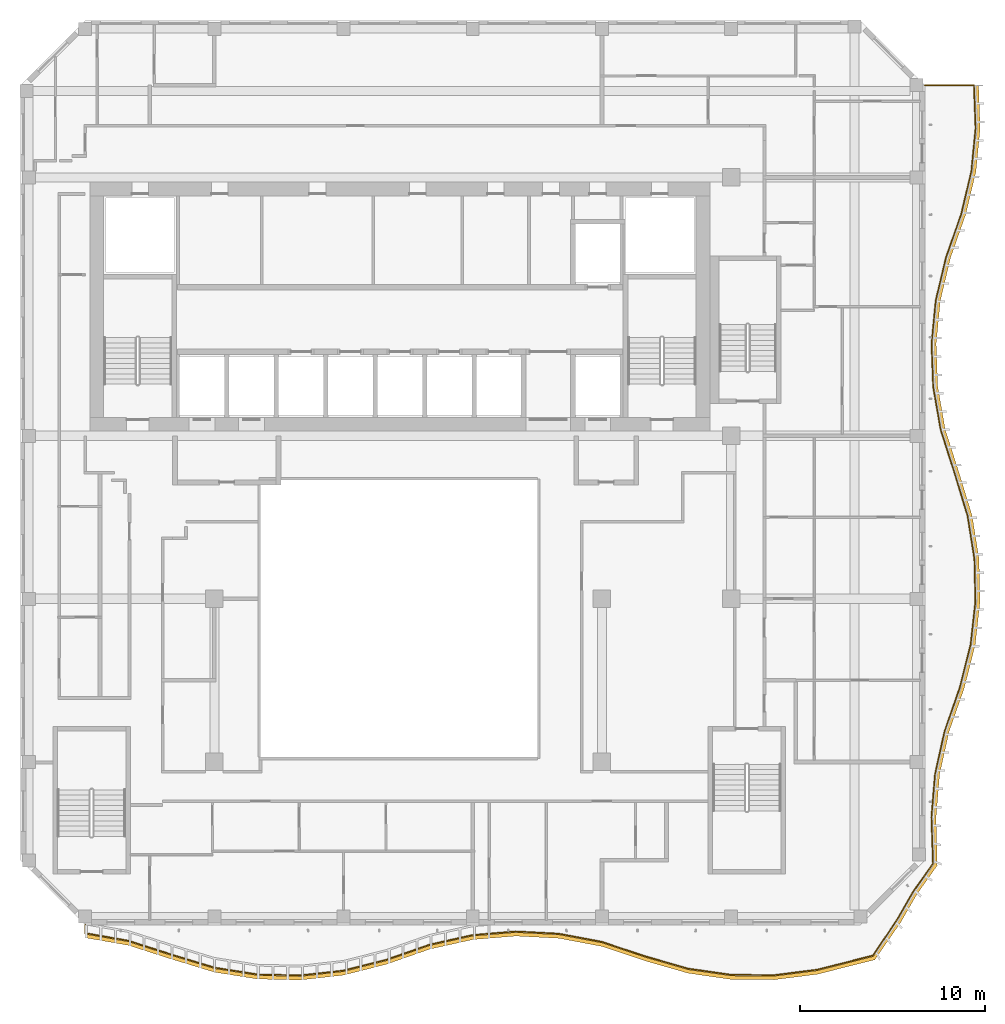
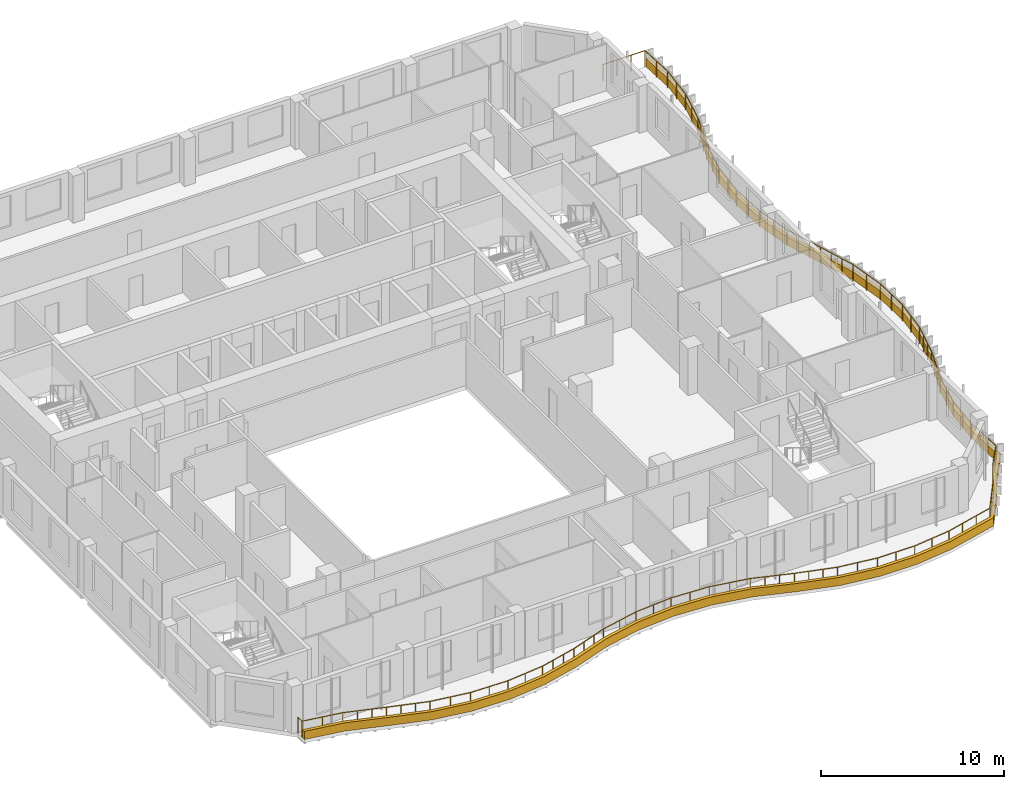
# One storey, part 14 of 19: 1 railing, 1 shading device.
"""IFC4 building model written with IfcOpenShell, lengths in metres."""

from ifc_helpers import new_model, si_unit, direction, frame, origin, origin_2d, place, context, subcontext, project, spatial, polyline, circle, outline, extrude, source, transform, mapped, material, layer, layer_set, type_object, element, save


model = new_model("IFC4")

# Units and contexts
model_context = context("Model", 3, precision=1e-05, world=origin(), true_north=direction((0.0, 1.0)))
body_context = subcontext(model_context, "Body", "Model", "MODEL_VIEW")
ifc_project = project(units=[si_unit("LENGTHUNIT", "METRE"), si_unit("AREAUNIT", "SQUARE_METRE"), si_unit("VOLUMEUNIT", "CUBIC_METRE"), si_unit("PLANEANGLEUNIT", "RADIAN"), si_unit("MASSUNIT", "GRAM", prefix="KILO")], contexts=[model_context])

# Site, building, storey
site_placement = place(None, origin())
site = spatial("IfcSite", under=ifc_project, at=site_placement, CompositionType="ELEMENT")
building_placement = place(site_placement, origin())
building = spatial("IfcBuilding", under=site, at=building_placement, Name="Kilnfold Tower and Market Hall", CompositionType="ELEMENT")
storey_placement = place(building_placement, frame((0.0, 0.0, 242.39990234375)))
storey = spatial("IfcBuildingStorey", under=building, at=storey_placement, Name="L58", CompositionType="ELEMENT", Elevation=242.39990234375)

# Railing
ifc_material_1 = material(Name="Stainless steel and laminated glass", Category="steel")
railing_type = type_object("IfcRailingType", Name="GUARD 1100", PredefinedType="GUARDRAIL", material=ifc_material_1)
railing_placement = place(storey_placement, frame((-16.0, -18.5, 0.0)))
element("IfcRailing", 1, at=railing_placement, inside=storey, type_object=railing_type, Name="Guard balcony L58", PredefinedType="GUARDRAIL", context=body_context, shape_type="SweptSolid", body=[
    extrude(circle(Radius=0.02490234375, at=origin_2d()), frame((0.0, 0.0, 1.0751953125), z_axis=(0.0, -1.0, 0.0), x_axis=(1.0, 0.0, 0.0)), (0.0, 0.0, 1.0), 0.44482421875),
    extrude(circle(Radius=0.02490234375, at=origin_2d()), frame((0.0, -0.44482421875, 1.0751953125), z_axis=(0.985161021514, -0.17163263585, 0.0), x_axis=(0.17163263585, 0.985161021514, 0.0)), (0.0, 0.0, 1.0), 2.368408203125),
    extrude(circle(Radius=0.02490234375, at=origin_2d()), frame((2.333251953125, -0.851318359375, 1.0751953125), z_axis=(0.952237728502, -0.305357672929, 0.0), x_axis=(0.305357672929, 0.952237728502, 0.0)), (0.0, 0.0, 1.0), 2.450439453125),
    extrude(circle(Radius=0.02490234375, at=origin_2d()), frame((4.666748046875, -1.599609375, 1.0751953125), z_axis=(0.956664181542, -0.291193481648, 0.0), x_axis=(0.291193481648, 0.956664181542, 0.0)), (0.0, 0.0, 1.0), 2.43896484375),
    extrude(circle(Radius=0.02490234375, at=origin_2d()), frame((7.0, -2.309814453125, 1.0751953125), z_axis=(0.98763527449, -0.15676914423, 0.0), x_axis=(0.15676914423, 0.98763527449, 0.0)), (0.0, 0.0, 1.0), 2.362548828125),
    extrude(circle(Radius=0.02490234375, at=origin_2d()), frame((9.333251953125, -2.68017578125, 1.0751953125), z_axis=(0.999744743303, -0.022593101544, 0.0), x_axis=(0.022593101544, 0.999744743303, 0.0)), (0.0, 0.0, 1.0), 2.333984375),
    extrude(circle(Radius=0.02490234375, at=origin_2d()), frame((11.666748046875, -2.73291015625, 1.0751953125), z_axis=(0.993733193139, 0.11177808754, 0.0), x_axis=(-0.11177808754, 0.993733193139, 0.0)), (0.0, 0.0, 1.0), 2.347900390625),
    extrude(circle(Radius=0.02490234375, at=origin_2d()), frame((14.0, -2.470458984375, 1.0751953125), z_axis=(0.969283366137, 0.245946653017, 0.0), x_axis=(-0.245946653017, 0.969283366137, 0.0)), (0.0, 0.0, 1.0), 2.4072265625),
    extrude(circle(Radius=0.02490234375, at=origin_2d()), frame((16.333251953125, -1.87841796875, 1.0751953125), z_axis=(0.943990699702, 0.329972057722, 0.0), x_axis=(-0.329972057722, 0.943990699702, 0.0)), (0.0, 0.0, 1.0), 2.471923828125),
    extrude(circle(Radius=0.02490234375, at=origin_2d()), frame((18.666748046875, -1.062744140625, 1.0751953125), z_axis=(0.976247110943, 0.216660052559, 0.0), x_axis=(-0.216660052559, 0.976247110943, 0.0)), (0.0, 0.0, 1.0), 2.39013671875),
    extrude(circle(Radius=0.02490234375, at=origin_2d()), frame((21.0, -0.544921875, 1.0751953125), z_axis=(0.996600912797, 0.082380948112, 0.0), x_axis=(-0.082380948112, 0.996600912797, 0.0)), (0.0, 0.0, 1.0), 2.34130859375),
    extrude(circle(Radius=0.02490234375, at=origin_2d()), frame((23.333251953125, -0.35205078125, 1.0751953125), z_axis=(0.998656235283, -0.051823968686, 0.0), x_axis=(0.051823968686, 0.998656235283, 0.0)), (0.0, 0.0, 1.0), 2.336669921875),
    extrude(circle(Radius=0.02490234375, at=origin_2d()), frame((25.666748046875, -0.47314453125, 1.0751953125), z_axis=(0.982534193754, -0.186082127309, 0.0), x_axis=(0.186082127309, 0.982534193754, 0.0)), (0.0, 0.0, 1.0), 2.374755859375),
    extrude(circle(Radius=0.02490234375, at=origin_2d()), frame((28.0, -0.9150390625, 1.0751953125), z_axis=(0.948524379753, -0.316704122192, 0.0), x_axis=(0.316704122192, 0.948524379753, 0.0)), (0.0, 0.0, 1.0), 2.4599609375),
    extrude(circle(Radius=0.02490234375, at=origin_2d()), frame((30.333251953125, -1.694091796875, 1.0751953125), z_axis=(0.961013882284, -0.276500123068, 0.0), x_axis=(0.276500123068, 0.961013882284, 0.0)), (0.0, 0.0, 1.0), 2.42822265625),
    extrude(circle(Radius=0.02490234375, at=origin_2d()), frame((32.666748046875, -2.365478515625, 1.0751953125), z_axis=(0.989822742584, -0.14230579139, 0.0), x_axis=(0.14230579139, 0.989822742584, 0.0)), (0.0, 0.0, 1.0), 2.357177734375),
    extrude(circle(Radius=0.02490234375, at=origin_2d()), frame((35.0, -2.700927734375, 1.0751953125), z_axis=(0.999967544587, -0.008056660137, 0.0), x_axis=(0.008056660137, 0.999967544587, 0.0)), (0.0, 0.0, 1.0), 2.333251953125),
    extrude(circle(Radius=0.02490234375, at=origin_2d()), frame((37.333251953125, -2.7197265625, 1.0751953125), z_axis=(0.992004055436, 0.126205998264, 0.0), x_axis=(-0.126205998264, 0.992004055436, 0.0)), (0.0, 0.0, 1.0), 2.352294921875),
    extrude(circle(Radius=0.02490234375, at=origin_2d()), frame((39.666748046875, -2.4228515625, 1.0751953125), z_axis=(0.969269635659, 0.246000758921, 0.0), x_axis=(-0.246000758921, 0.969269635659, 0.0)), (0.0, 0.0, 1.0), 3.115234375),
    extrude(circle(Radius=0.02490234375, at=origin_2d()), frame((42.686279296875, -1.656494140625, 1.0751953125), z_axis=(0.557017105761, 0.830501019801, 0.0), x_axis=(-0.830501019801, 0.557017105761, 0.0)), (0.0, 0.0, 1.0), 2.380859375),
    extrude(circle(Radius=0.02490234375, at=origin_2d()), frame((44.012451171875, 0.32080078125, 1.0751953125), z_axis=(0.498229570027, 0.867045151968, 0.0), x_axis=(-0.867045151968, 0.498229570027, 0.0)), (0.0, 0.0, 1.0), 1.709228515625),
    extrude(circle(Radius=0.02490234375, at=origin_2d()), frame((44.864013671875, 1.802734375, 1.0751953125), z_axis=(0.577451898884, 0.816424708393, 0.0), x_axis=(-0.816424708393, 0.577451898884, 0.0)), (0.0, 0.0, 1.0), 1.857421875),
    extrude(circle(Radius=0.02490234375, at=origin_2d()), frame((45.9365234375, 3.319091796875, 1.0751953125), z_axis=(-0.033579808658, 0.999436039199, 0.0), x_axis=(-0.999436039199, -0.033579808658, 0.0)), (0.0, 0.0, 1.0), 2.515625),
    extrude(circle(Radius=0.02490234375, at=origin_2d()), frame((45.85205078125, 5.833251953125, 1.0751953125), z_axis=(0.082683059595, 0.996575893576, 0.0), x_axis=(-0.996575893576, 0.082683059595, 0.0)), (0.0, 0.0, 1.0), 2.341552734375),
    extrude(circle(Radius=0.02490234375, at=origin_2d()), frame((46.045654296875, 8.166748046875, 1.0751953125), z_axis=(0.216952088083, 0.976182253207, 0.0), x_axis=(-0.976182253207, 0.216952088083, 0.0)), (0.0, 0.0, 1.0), 2.39013671875),
    extrude(circle(Radius=0.02490234375, at=origin_2d()), frame((46.564208984375, 10.5, 1.0751953125), z_axis=(0.329914803276, 0.944010711051, 0.0), x_axis=(-0.944010711051, 0.329914803276, 0.0)), (0.0, 0.0, 1.0), 2.4716796875),
    extrude(circle(Radius=0.02490234375, at=origin_2d()), frame((47.379638671875, 12.833251953125, 1.0751953125), z_axis=(0.245731906656, 0.969337830713, 0.0), x_axis=(-0.969337830713, 0.245731906656, 0.0)), (0.0, 0.0, 1.0), 2.4072265625),
    extrude(circle(Radius=0.02490234375, at=origin_2d()), frame((47.97119140625, 15.166748046875, 1.0751953125), z_axis=(0.111470030065, 0.993767796015, 0.0), x_axis=(-0.993767796015, 0.111470030065, 0.0)), (0.0, 0.0, 1.0), 2.347900390625),
    extrude(circle(Radius=0.02490234375, at=origin_2d()), frame((48.23291015625, 17.5, 1.0751953125), z_axis=(-0.022804573332, 0.999739941902, 0.0), x_axis=(-0.999739941902, -0.022804573332, 0.0)), (0.0, 0.0, 1.0), 2.333740234375),
    extrude(circle(Radius=0.02490234375, at=origin_2d()), frame((48.1796875, 19.833251953125, 1.0751953125), z_axis=(-0.157055499367, 0.987589778257, 0.0), x_axis=(-0.987589778257, -0.157055499367, 0.0)), (0.0, 0.0, 1.0), 2.36279296875),
    extrude(circle(Radius=0.02490234375, at=origin_2d()), frame((47.80859375, 22.166748046875, 1.0751953125), z_axis=(-0.29137669156, 0.956608396166, 0.0), x_axis=(-0.956608396166, -0.29137669156, 0.0)), (0.0, 0.0, 1.0), 2.439208984375),
    extrude(circle(Radius=0.02490234375, at=origin_2d()), frame((47.097900390625, 24.5, 1.0751953125), z_axis=(-0.305205938926, 0.952286372287, 0.0), x_axis=(-0.952286372287, -0.305205938926, 0.0)), (0.0, 0.0, 1.0), 2.4501953125),
    extrude(circle(Radius=0.02490234375, at=origin_2d()), frame((46.35009765625, 26.833251953125, 1.0751953125), z_axis=(-0.171315074292, 0.985216293674, 0.0), x_axis=(-0.985216293674, -0.171315074292, 0.0)), (0.0, 0.0, 1.0), 2.368408203125),
    extrude(circle(Radius=0.02490234375, at=origin_2d()), frame((45.9443359375, 29.166748046875, 1.0751953125), z_axis=(-0.037015527932, 0.999314690521, 0.0), x_axis=(-0.999314690521, -0.037015527932, 0.0)), (0.0, 0.0, 1.0), 2.3349609375),
    extrude(circle(Radius=0.02490234375, at=origin_2d()), frame((45.85791015625, 31.5, 1.0751953125), z_axis=(0.097162865547, 0.995268495211, 0.0), x_axis=(-0.995268495211, 0.097162865547, 0.0)), (0.0, 0.0, 1.0), 2.34423828125),
    extrude(circle(Radius=0.02490234375, at=origin_2d()), frame((46.085693359375, 33.833251953125, 1.0751953125), z_axis=(0.231455399006, 0.972845516139, 0.0), x_axis=(-0.972845516139, 0.231455399006, 0.0)), (0.0, 0.0, 1.0), 2.398681640625),
    extrude(circle(Radius=0.02490234375, at=origin_2d()), frame((46.640869140625, 36.166748046875, 1.0751953125), z_axis=(0.331409994631, 0.943486839049, 0.0), x_axis=(-0.943486839049, 0.331409994631, 0.0)), (0.0, 0.0, 1.0), 2.472900390625),
    extrude(circle(Radius=0.02490234375, at=origin_2d()), frame((47.46044921875, 38.5, 1.0751953125), z_axis=(0.231285627917, 0.972885891726, 0.0), x_axis=(-0.972885891726, 0.231285627917, 0.0)), (0.0, 0.0, 1.0), 2.398193359375),
    extrude(circle(Radius=0.02490234375, at=origin_2d()), frame((48.01513671875, 40.833251953125, 1.0751953125), z_axis=(0.096843341941, 0.995299636854, 0.0), x_axis=(-0.995299636854, 0.096843341941, 0.0)), (0.0, 0.0, 1.0), 2.344482421875),
    extrude(circle(Radius=0.02490234375, at=origin_2d()), frame((48.2421875, 43.166748046875, 1.0751953125), z_axis=(-0.037224366243, 0.999306933108, 0.0), x_axis=(-0.999306933108, -0.037224366243, 0.0)), (0.0, 0.0, 1.0), 2.3349609375),
    extrude(circle(Radius=0.02490234375, at=origin_2d()), frame((48.1552734375, 45.5, 1.0751953125), z_axis=(-1.0, 0.0, 0.0), x_axis=(0.0, -1.0, 0.0)), (0.0, 0.0, 1.0), 2.6552734375),
    extrude(circle(Radius=0.02490234375, at=origin_2d()), origin(), (0.0, 0.0, 1.0), 1.050048828125),
    extrude(circle(Radius=0.02490234375, at=origin_2d()), frame((0.0, -0.44482421875, 0.0)), (0.0, 0.0, 1.0), 1.050048828125),
    extrude(circle(Radius=0.02490234375, at=origin_2d()), frame((1.16650390625, -0.64794921875, 0.0)), (0.0, 0.0, 1.0), 1.050048828125),
    extrude(circle(Radius=0.02490234375, at=origin_2d()), frame((2.333251953125, -0.851318359375, 0.0)), (0.0, 0.0, 1.0), 1.050048828125),
    extrude(circle(Radius=0.02490234375, at=origin_2d()), frame((3.111083984375, -1.100830078125, 0.0)), (0.0, 0.0, 1.0), 1.050048828125),
    extrude(circle(Radius=0.02490234375, at=origin_2d()), frame((3.888916015625, -1.35009765625, 0.0)), (0.0, 0.0, 1.0), 1.050048828125),
    extrude(circle(Radius=0.02490234375, at=origin_2d()), frame((4.666748046875, -1.599609375, 0.0)), (0.0, 0.0, 1.0), 1.050048828125),
    extrude(circle(Radius=0.02490234375, at=origin_2d()), frame((5.444580078125, -1.83642578125, 0.0)), (0.0, 0.0, 1.0), 1.050048828125),
    extrude(circle(Radius=0.02490234375, at=origin_2d()), frame((6.22216796875, -2.072998046875, 0.0)), (0.0, 0.0, 1.0), 1.050048828125),
    extrude(circle(Radius=0.02490234375, at=origin_2d()), frame((7.0, -2.309814453125, 0.0)), (0.0, 0.0, 1.0), 1.050048828125),
    extrude(circle(Radius=0.02490234375, at=origin_2d()), frame((8.16650390625, -2.4951171875, 0.0)), (0.0, 0.0, 1.0), 1.050048828125),
    extrude(circle(Radius=0.02490234375, at=origin_2d()), frame((9.333251953125, -2.68017578125, 0.0)), (0.0, 0.0, 1.0), 1.050048828125),
    extrude(circle(Radius=0.02490234375, at=origin_2d()), frame((10.5, -2.70654296875, 0.0)), (0.0, 0.0, 1.0), 1.050048828125),
    extrude(circle(Radius=0.02490234375, at=origin_2d()), frame((11.666748046875, -2.73291015625, 0.0)), (0.0, 0.0, 1.0), 1.050048828125),
    extrude(circle(Radius=0.02490234375, at=origin_2d()), frame((12.83349609375, -2.6015625, 0.0)), (0.0, 0.0, 1.0), 1.050048828125),
    extrude(circle(Radius=0.02490234375, at=origin_2d()), frame((14.0, -2.470458984375, 0.0)), (0.0, 0.0, 1.0), 1.050048828125),
    extrude(circle(Radius=0.02490234375, at=origin_2d()), frame((14.77783203125, -2.273193359375, 0.0)), (0.0, 0.0, 1.0), 1.050048828125),
    extrude(circle(Radius=0.02490234375, at=origin_2d()), frame((15.555419921875, -2.07568359375, 0.0)), (0.0, 0.0, 1.0), 1.050048828125),
    extrude(circle(Radius=0.02490234375, at=origin_2d()), frame((16.333251953125, -1.87841796875, 0.0)), (0.0, 0.0, 1.0), 1.050048828125),
    extrude(circle(Radius=0.02490234375, at=origin_2d()), frame((17.111083984375, -1.6064453125, 0.0)), (0.0, 0.0, 1.0), 1.050048828125),
    extrude(circle(Radius=0.02490234375, at=origin_2d()), frame((17.888916015625, -1.334716796875, 0.0)), (0.0, 0.0, 1.0), 1.050048828125),
    extrude(circle(Radius=0.02490234375, at=origin_2d()), frame((18.666748046875, -1.062744140625, 0.0)), (0.0, 0.0, 1.0), 1.050048828125),
    extrude(circle(Radius=0.02490234375, at=origin_2d()), frame((19.83349609375, -0.8037109375, 0.0)), (0.0, 0.0, 1.0), 1.050048828125),
    extrude(circle(Radius=0.02490234375, at=origin_2d()), frame((21.0, -0.544921875, 0.0)), (0.0, 0.0, 1.0), 1.050048828125),
    extrude(circle(Radius=0.02490234375, at=origin_2d()), frame((22.16650390625, -0.448486328125, 0.0)), (0.0, 0.0, 1.0), 1.050048828125),
    extrude(circle(Radius=0.02490234375, at=origin_2d()), frame((23.333251953125, -0.35205078125, 0.0)), (0.0, 0.0, 1.0), 1.050048828125),
    extrude(circle(Radius=0.02490234375, at=origin_2d()), frame((24.5, -0.41259765625, 0.0)), (0.0, 0.0, 1.0), 1.050048828125),
    extrude(circle(Radius=0.02490234375, at=origin_2d()), frame((25.666748046875, -0.47314453125, 0.0)), (0.0, 0.0, 1.0), 1.050048828125),
    extrude(circle(Radius=0.02490234375, at=origin_2d()), frame((26.83349609375, -0.694091796875, 0.0)), (0.0, 0.0, 1.0), 1.050048828125),
    extrude(circle(Radius=0.02490234375, at=origin_2d()), frame((28.0, -0.9150390625, 0.0)), (0.0, 0.0, 1.0), 1.050048828125),
    extrude(circle(Radius=0.02490234375, at=origin_2d()), frame((28.77783203125, -1.1748046875, 0.0)), (0.0, 0.0, 1.0), 1.050048828125),
    extrude(circle(Radius=0.02490234375, at=origin_2d()), frame((29.555419921875, -1.434326171875, 0.0)), (0.0, 0.0, 1.0), 1.050048828125),
    extrude(circle(Radius=0.02490234375, at=origin_2d()), frame((30.333251953125, -1.694091796875, 0.0)), (0.0, 0.0, 1.0), 1.050048828125),
    extrude(circle(Radius=0.02490234375, at=origin_2d()), frame((31.111083984375, -1.91796875, 0.0)), (0.0, 0.0, 1.0), 1.050048828125),
    extrude(circle(Radius=0.02490234375, at=origin_2d()), frame((31.888916015625, -2.1416015625, 0.0)), (0.0, 0.0, 1.0), 1.050048828125),
    extrude(circle(Radius=0.02490234375, at=origin_2d()), frame((32.666748046875, -2.365478515625, 0.0)), (0.0, 0.0, 1.0), 1.050048828125),
    extrude(circle(Radius=0.02490234375, at=origin_2d()), frame((33.83349609375, -2.533203125, 0.0)), (0.0, 0.0, 1.0), 1.050048828125),
    extrude(circle(Radius=0.02490234375, at=origin_2d()), frame((35.0, -2.700927734375, 0.0)), (0.0, 0.0, 1.0), 1.050048828125),
    extrude(circle(Radius=0.02490234375, at=origin_2d()), frame((36.16650390625, -2.71044921875, 0.0)), (0.0, 0.0, 1.0), 1.050048828125),
    extrude(circle(Radius=0.02490234375, at=origin_2d()), frame((37.333251953125, -2.7197265625, 0.0)), (0.0, 0.0, 1.0), 1.050048828125),
    extrude(circle(Radius=0.02490234375, at=origin_2d()), frame((38.5, -2.5712890625, 0.0)), (0.0, 0.0, 1.0), 1.050048828125),
    extrude(circle(Radius=0.02490234375, at=origin_2d()), frame((39.666748046875, -2.4228515625, 0.0)), (0.0, 0.0, 1.0), 1.050048828125),
    extrude(circle(Radius=0.02490234375, at=origin_2d()), frame((40.67333984375, -2.16748046875, 0.0)), (0.0, 0.0, 1.0), 1.050048828125),
    extrude(circle(Radius=0.02490234375, at=origin_2d()), frame((41.6796875, -1.911865234375, 0.0)), (0.0, 0.0, 1.0), 1.050048828125),
    extrude(circle(Radius=0.02490234375, at=origin_2d()), frame((42.686279296875, -1.656494140625, 0.0)), (0.0, 0.0, 1.0), 1.050048828125),
    extrude(circle(Radius=0.02490234375, at=origin_2d()), frame((43.349365234375, -0.66796875, 0.0)), (0.0, 0.0, 1.0), 1.050048828125),
    extrude(circle(Radius=0.02490234375, at=origin_2d()), frame((44.012451171875, 0.32080078125, 0.0)), (0.0, 0.0, 1.0), 1.050048828125),
    extrude(circle(Radius=0.02490234375, at=origin_2d()), frame((44.438232421875, 1.061767578125, 0.0)), (0.0, 0.0, 1.0), 1.050048828125),
    extrude(circle(Radius=0.02490234375, at=origin_2d()), frame((44.864013671875, 1.802734375, 0.0)), (0.0, 0.0, 1.0), 1.050048828125),
    extrude(circle(Radius=0.02490234375, at=origin_2d()), frame((45.400390625, 2.56103515625, 0.0)), (0.0, 0.0, 1.0), 1.050048828125),
    extrude(circle(Radius=0.02490234375, at=origin_2d()), frame((45.9365234375, 3.319091796875, 0.0)), (0.0, 0.0, 1.0), 1.050048828125),
    extrude(circle(Radius=0.02490234375, at=origin_2d()), frame((45.908447265625, 4.1572265625, 0.0)), (0.0, 0.0, 1.0), 1.050048828125),
    extrude(circle(Radius=0.02490234375, at=origin_2d()), frame((45.880126953125, 4.9951171875, 0.0)), (0.0, 0.0, 1.0), 1.050048828125),
    extrude(circle(Radius=0.02490234375, at=origin_2d()), frame((45.85205078125, 5.833251953125, 0.0)), (0.0, 0.0, 1.0), 1.050048828125),
    extrude(circle(Radius=0.02490234375, at=origin_2d()), frame((45.94873046875, 7.0, 0.0)), (0.0, 0.0, 1.0), 1.050048828125),
    extrude(circle(Radius=0.02490234375, at=origin_2d()), frame((46.045654296875, 8.166748046875, 0.0)), (0.0, 0.0, 1.0), 1.050048828125),
    extrude(circle(Radius=0.02490234375, at=origin_2d()), frame((46.304931640625, 9.33349609375, 0.0)), (0.0, 0.0, 1.0), 1.050048828125),
    extrude(circle(Radius=0.02490234375, at=origin_2d()), frame((46.564208984375, 10.5, 0.0)), (0.0, 0.0, 1.0), 1.050048828125),
    extrude(circle(Radius=0.02490234375, at=origin_2d()), frame((46.8359375, 11.27783203125, 0.0)), (0.0, 0.0, 1.0), 1.050048828125),
    extrude(circle(Radius=0.02490234375, at=origin_2d()), frame((47.10791015625, 12.055419921875, 0.0)), (0.0, 0.0, 1.0), 1.050048828125),
    extrude(circle(Radius=0.02490234375, at=origin_2d()), frame((47.379638671875, 12.833251953125, 0.0)), (0.0, 0.0, 1.0), 1.050048828125),
    extrude(circle(Radius=0.02490234375, at=origin_2d()), frame((47.576904296875, 13.611083984375, 0.0)), (0.0, 0.0, 1.0), 1.050048828125),
    extrude(circle(Radius=0.02490234375, at=origin_2d()), frame((47.77392578125, 14.388916015625, 0.0)), (0.0, 0.0, 1.0), 1.050048828125),
    extrude(circle(Radius=0.02490234375, at=origin_2d()), frame((47.97119140625, 15.166748046875, 0.0)), (0.0, 0.0, 1.0), 1.050048828125),
    extrude(circle(Radius=0.02490234375, at=origin_2d()), frame((48.10205078125, 16.33349609375, 0.0)), (0.0, 0.0, 1.0), 1.050048828125),
    extrude(circle(Radius=0.02490234375, at=origin_2d()), frame((48.23291015625, 17.5, 0.0)), (0.0, 0.0, 1.0), 1.050048828125),
    extrude(circle(Radius=0.02490234375, at=origin_2d()), frame((48.206298828125, 18.66650390625, 0.0)), (0.0, 0.0, 1.0), 1.050048828125),
    extrude(circle(Radius=0.02490234375, at=origin_2d()), frame((48.1796875, 19.833251953125, 0.0)), (0.0, 0.0, 1.0), 1.050048828125),
    extrude(circle(Radius=0.02490234375, at=origin_2d()), frame((47.994140625, 21.0, 0.0)), (0.0, 0.0, 1.0), 1.050048828125),
    extrude(circle(Radius=0.02490234375, at=origin_2d()), frame((47.80859375, 22.166748046875, 0.0)), (0.0, 0.0, 1.0), 1.050048828125),
    extrude(circle(Radius=0.02490234375, at=origin_2d()), frame((47.57177734375, 22.944580078125, 0.0)), (0.0, 0.0, 1.0), 1.050048828125),
    extrude(circle(Radius=0.02490234375, at=origin_2d()), frame((47.334716796875, 23.72216796875, 0.0)), (0.0, 0.0, 1.0), 1.050048828125),
    extrude(circle(Radius=0.02490234375, at=origin_2d()), frame((47.097900390625, 24.5, 0.0)), (0.0, 0.0, 1.0), 1.050048828125),
    extrude(circle(Radius=0.02490234375, at=origin_2d()), frame((46.8486328125, 25.27783203125, 0.0)), (0.0, 0.0, 1.0), 1.050048828125),
    extrude(circle(Radius=0.02490234375, at=origin_2d()), frame((46.599365234375, 26.055419921875, 0.0)), (0.0, 0.0, 1.0), 1.050048828125),
    extrude(circle(Radius=0.02490234375, at=origin_2d()), frame((46.35009765625, 26.833251953125, 0.0)), (0.0, 0.0, 1.0), 1.050048828125),
    extrude(circle(Radius=0.02490234375, at=origin_2d()), frame((46.147216796875, 28.0, 0.0)), (0.0, 0.0, 1.0), 1.050048828125),
    extrude(circle(Radius=0.02490234375, at=origin_2d()), frame((45.9443359375, 29.166748046875, 0.0)), (0.0, 0.0, 1.0), 1.050048828125),
    extrude(circle(Radius=0.02490234375, at=origin_2d()), frame((45.901123046875, 30.33349609375, 0.0)), (0.0, 0.0, 1.0), 1.050048828125),
    extrude(circle(Radius=0.02490234375, at=origin_2d()), frame((45.85791015625, 31.5, 0.0)), (0.0, 0.0, 1.0), 1.050048828125),
    extrude(circle(Radius=0.02490234375, at=origin_2d()), frame((45.9716796875, 32.66650390625, 0.0)), (0.0, 0.0, 1.0), 1.050048828125),
    extrude(circle(Radius=0.02490234375, at=origin_2d()), frame((46.085693359375, 33.833251953125, 0.0)), (0.0, 0.0, 1.0), 1.050048828125),
    extrude(circle(Radius=0.02490234375, at=origin_2d()), frame((46.36328125, 35.0, 0.0)), (0.0, 0.0, 1.0), 1.050048828125),
    extrude(circle(Radius=0.02490234375, at=origin_2d()), frame((46.640869140625, 36.166748046875, 0.0)), (0.0, 0.0, 1.0), 1.050048828125),
    extrude(circle(Radius=0.02490234375, at=origin_2d()), frame((46.9140625, 36.944580078125, 0.0)), (0.0, 0.0, 1.0), 1.050048828125),
    extrude(circle(Radius=0.02490234375, at=origin_2d()), frame((47.187255859375, 37.72216796875, 0.0)), (0.0, 0.0, 1.0), 1.050048828125),
    extrude(circle(Radius=0.02490234375, at=origin_2d()), frame((47.46044921875, 38.5, 0.0)), (0.0, 0.0, 1.0), 1.050048828125),
    extrude(circle(Radius=0.02490234375, at=origin_2d()), frame((47.73779296875, 39.66650390625, 0.0)), (0.0, 0.0, 1.0), 1.050048828125),
    extrude(circle(Radius=0.02490234375, at=origin_2d()), frame((48.01513671875, 40.833251953125, 0.0)), (0.0, 0.0, 1.0), 1.050048828125),
    extrude(circle(Radius=0.02490234375, at=origin_2d()), frame((48.128662109375, 42.0, 0.0)), (0.0, 0.0, 1.0), 1.050048828125),
    extrude(circle(Radius=0.02490234375, at=origin_2d()), frame((48.2421875, 43.166748046875, 0.0)), (0.0, 0.0, 1.0), 1.050048828125),
    extrude(circle(Radius=0.02490234375, at=origin_2d()), frame((48.19873046875, 44.33349609375, 0.0)), (0.0, 0.0, 1.0), 1.050048828125),
    extrude(circle(Radius=0.02490234375, at=origin_2d()), frame((48.1552734375, 45.5, 0.0)), (0.0, 0.0, 1.0), 1.050048828125),
    extrude(circle(Radius=0.02490234375, at=origin_2d()), frame((47.270263671875, 45.5, 0.0)), (0.0, 0.0, 1.0), 1.050048828125),
    extrude(circle(Radius=0.02490234375, at=origin_2d()), frame((46.385009765625, 45.5, 0.0)), (0.0, 0.0, 1.0), 1.050048828125),
    extrude(circle(Radius=0.02490234375, at=origin_2d()), frame((45.5, 45.5, 0.0)), (0.0, 0.0, 1.0), 1.050048828125),
])

# Shading device
ifc_material_2 = material(Name="Precast concrete C50/60", Category="concrete")
ifc_layer = layer(ifc_material_2, 0.550048828125)
ifc_layer_set = layer_set([ifc_layer], Name="Precast concrete C50/60")
shading_device_type = type_object("IfcShadingDeviceType", Name="BALCONY UPSTAND 550", PredefinedType="USERDEFINED", material=ifc_layer_set)
shared_shape = source(origin(), body_context, "Body", "SweptSolid", [
    extrude(outline(polyline([(-16.0, -19.19482421875), (-13.666748046875, -19.601318359375), (-11.333251953125, -20.349609375), (-9.0, -21.059814453125), (-6.666748046875, -21.43017578125), (-4.333251953125, -21.48291015625), (-2.0, -21.220458984375), (0.333251953125, -20.62841796875), (2.666748046875, -19.812744140625), (5.0, -19.294921875), (7.333251953125, -19.10205078125), (9.666748046875, -19.22314453125), (12.0, -19.6650390625), (14.333251953125, -20.444091796875), (16.666748046875, -21.115478515625), (19.0, -21.450927734375), (21.333251953125, -21.4697265625), (23.666748046875, -21.1728515625), (26.781982421875, -20.3876953125), (28.189208984375, -18.35595703125), (29.040771484375, -16.8740234375), (30.16748046875, -15.276611328125), (30.10205078125, -12.666748046875), (30.295654296875, -10.333251953125), (30.814208984375, -8.0), (31.629638671875, -5.666748046875), (32.22119140625, -3.333251953125), (32.48291015625, -1.0), (32.4296875, 1.333251953125), (32.05859375, 3.666748046875), (31.347900390625, 6.0), (30.60009765625, 8.333251953125), (30.1943359375, 10.666748046875), (30.10791015625, 13.0), (30.335693359375, 15.333251953125), (30.890869140625, 17.666748046875), (31.71044921875, 20.0), (32.26513671875, 22.333251953125), (32.4921875, 24.666748046875), (32.4052734375, 27.0), (32.205078125, 27.0), (32.292236328125, 24.666748046875), (32.065185546875, 22.333251953125), (31.510498046875, 20.0), (30.69091796875, 17.666748046875), (30.1357421875, 15.333251953125), (29.90771484375, 13.0), (29.994384765625, 10.666748046875), (30.400146484375, 8.333251953125), (31.14794921875, 6.0), (31.858642578125, 3.666748046875), (32.229736328125, 1.333251953125), (32.282958984375, -1.0), (32.021240234375, -3.333251953125), (31.4296875, -5.666748046875), (30.614013671875, -8.0), (30.095703125, -10.333251953125), (29.902099609375, -12.666748046875), (29.98291015625, -15.199951171875), (28.8994140625, -16.732666015625), (28.0478515625, -18.214599609375), (26.705322265625, -20.202880859375), (23.666748046875, -20.972900390625), (21.333251953125, -21.269775390625), (19.0, -21.2509765625), (16.666748046875, -20.91552734375), (14.333251953125, -20.244140625), (12.0, -19.465087890625), (9.666748046875, -19.023193359375), (7.333251953125, -18.902099609375), (5.0, -19.094970703125), (2.666748046875, -19.61279296875), (0.333251953125, -20.42822265625), (-2.0, -21.0205078125), (-4.333251953125, -21.28271484375), (-6.666748046875, -21.22998046875), (-9.0, -20.859619140625), (-11.333251953125, -20.149658203125), (-13.666748046875, -19.401123046875), (-16.0, -18.994873046875), (-16.0, -19.19482421875)])), origin(), (0.0, 0.0, 1.0), 0.550048828125),
])
shading_device_placement = place(storey_placement, origin())
element("IfcShadingDevice", 2, at=shading_device_placement, inside=storey, type_object=shading_device_type, Name="Balcony fascia L58", ObjectType="FASCIA", PredefinedType="USERDEFINED", context=body_context, shape_type="MappedRepresentation", body=[
    mapped(shared_shape, transform((0.0, 0.0, 0.0))),
])

save(model, "model.ifc")
